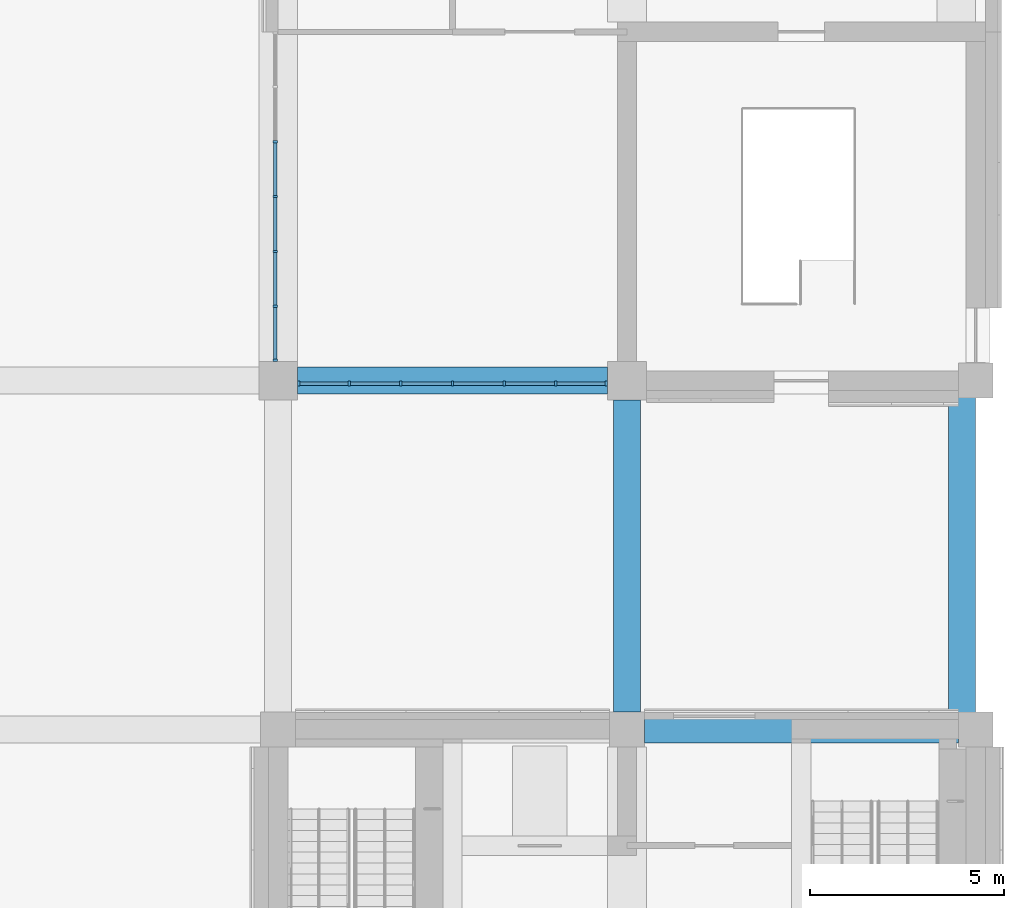
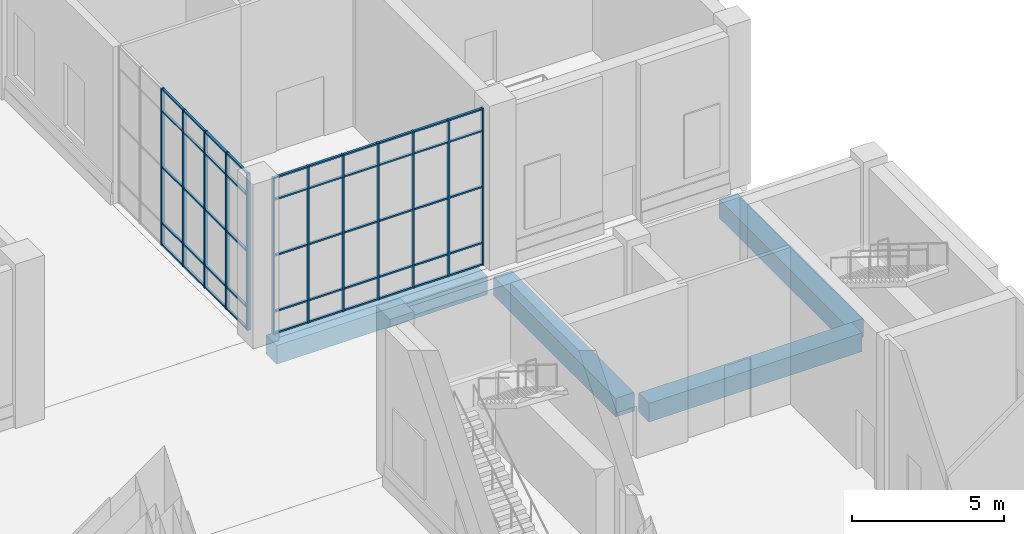
# One storey, part 3 of 35: 62 members, 4 beams, 2 elements without a shape of their own.
"""IFC4 building model written with IfcOpenShell, lengths in metres."""

import ifcopenshell
import ifcopenshell.guid

model = None  # the IFC model being written
_history = None  # IfcOwnerHistory: only IFC2X3 demands one
_inside = {}  # id of a spatial element -> (the spatial element, [elements in it])
_under = {}  # id of a project, library or spatial element -> (it, [spatial elements below it])
_declared = {}  # id of a project -> (the project, [libraries it declares])
_typed = {}  # id of a type object -> (the type object, [elements of that type])
_made_of = {}  # id of a material, layer set ... -> (it, [elements and type objects made of it])


def new_model(schema):
    """Start an empty IFC model of exactly this schema.

    Asked for "IFC4X3", IfcOpenShell would pick the latest addendum, in which some entities
    have other attributes; the version numbers below select the first issue.
    IFC2X3 requires an IfcOwnerHistory on every rooted entity: one is made here for all.
    """
    global model, _history
    if schema == "IFC4X3":
        model = ifcopenshell.file(schema_version=(4, 3, 0, 0))
    else:
        model = ifcopenshell.file(schema=schema)
    _inside.clear()
    _under.clear()
    _declared.clear()
    _typed.clear()
    _made_of.clear()
    _history = None
    if model.schema == "IFC2X3":
        org = make("IfcOrganization", Name="unknown")
        user = make(
            "IfcPersonAndOrganization",
            ThePerson=make("IfcPerson", FamilyName="unknown"),
            TheOrganization=org,
        )
        app = make(
            "IfcApplication",
            ApplicationDeveloper=org,
            Version="unknown",
            ApplicationFullName="unknown",
            ApplicationIdentifier="unknown",
        )
        _history = make(
            "IfcOwnerHistory",
            OwningUser=user,
            OwningApplication=app,
            ChangeAction="ADDED",
            CreationDate=0,
        )
    return model


def make(cls, **values):
    """One entity of the class cls with the attributes given. An attribute that is None is left unset."""
    return model.create_entity(
        cls, **{name: value for name, value in values.items() if value is not None}
    )


def rooted(cls, **values):
    """An entity with a GlobalId (a new one), such as an element, a storey or a relation."""
    return make(cls, GlobalId=ifcopenshell.guid.new(), OwnerHistory=_history, **values)


def si_unit(unit_type, name, prefix=None):
    """IfcSIUnit, for example si_unit("LENGTHUNIT", "METRE", prefix="MILLI")."""
    return make("IfcSIUnit", UnitType=unit_type, Prefix=prefix, Name=name)


def assignment(units):
    """IfcUnitAssignment: the units of a project."""
    return None if units is None else make("IfcUnitAssignment", Units=units)


def point(xyz):
    """IfcCartesianPoint."""
    return None if xyz is None else make("IfcCartesianPoint", Coordinates=xyz)


def direction(xyz):
    """IfcDirection."""
    return None if xyz is None else make("IfcDirection", DirectionRatios=xyz)


def frame(location, z_axis=None, x_axis=None):
    """IfcAxis2Placement3D, a coordinate frame: its origin and axes. An axis left out is left unset."""
    return make(
        "IfcAxis2Placement3D",
        Location=point(location),
        Axis=direction(z_axis),
        RefDirection=direction(x_axis),
    )


def frame_2d(location, x_axis=None):
    """IfcAxis2Placement2D, a coordinate frame in the plane: its origin and x axis."""
    return make(
        "IfcAxis2Placement2D", Location=point(location), RefDirection=direction(x_axis)
    )


def origin():
    """The frame at (0, 0, 0) with its axes left unset."""
    return frame((0.0, 0.0, 0.0))


def origin_2d():
    """The frame at (0, 0) in the plane with its x axis left unset."""
    return frame_2d((0.0, 0.0))


def place(relative_to, where):
    """IfcLocalPlacement: puts the frame where relative to a parent placement (None: the world)."""
    return make(
        "IfcLocalPlacement", PlacementRelTo=relative_to, RelativePlacement=where
    )


def context(
    kind, dimensions, precision=None, world=None, true_north=None, identifier=None
):
    """IfcGeometricRepresentationContext, for example the 3D "Model" context."""
    return make(
        "IfcGeometricRepresentationContext",
        ContextIdentifier=identifier,
        ContextType=kind,
        CoordinateSpaceDimension=dimensions,
        Precision=precision,
        WorldCoordinateSystem=world,
        TrueNorth=true_north,
    )


def subcontext(parent, identifier, kind, view, scale=None):
    """IfcGeometricRepresentationSubContext, for example "Body" below "Model"."""
    return make(
        "IfcGeometricRepresentationSubContext",
        ContextIdentifier=identifier,
        ContextType=kind,
        ParentContext=parent,
        TargetScale=scale,
        TargetView=view,
    )


def project(units=None, contexts=None):
    """IfcProject with its units and contexts."""
    return rooted(
        "IfcProject",
        Name="project",
        RepresentationContexts=contexts,
        UnitsInContext=assignment(units),
    )


def spatial(cls, under=None, at=None, **own):
    """A site, building, storey or space (cls), placed at a placement, below another one or the project."""
    s = rooted(cls, ObjectPlacement=at, **own)
    if under is not None:
        _under.setdefault(under.id(), (under, []))[1].append(s)
    return s


def profile(cls, at=None, kind="AREA", **sizes):
    """A parametric profile (cls). Its sizes go by their IFC names, for example OverallWidth=200.0."""
    return make(cls, ProfileType=kind, Position=at, **sizes)


def rectangle(**sizes):
    """IfcRectangleProfileDef."""
    return profile("IfcRectangleProfileDef", **sizes)


def extrude(swept, where, along, depth):
    """IfcExtrudedAreaSolid: the profile swept, set in the frame where, extruded along a direction by depth."""
    return make(
        "IfcExtrudedAreaSolid",
        SweptArea=swept,
        Position=where,
        ExtrudedDirection=direction(along),
        Depth=depth,
    )


def shape(context_of_items, identifier, shape_type, items):
    """IfcShapeRepresentation: the items that make up one representation, for example the "Body"."""
    return make(
        "IfcShapeRepresentation",
        ContextOfItems=context_of_items,
        RepresentationIdentifier=identifier,
        RepresentationType=shape_type,
        Items=items,
    )


def material(Name=None, Category=None):
    """IfcMaterial."""
    return make("IfcMaterial", Name=Name, Category=Category)


def layer(
    of_material, thickness, ventilated=None, Name=None, Category=None, Priority=None
):
    """IfcMaterialLayer: one layer of a wall or slab, of a material (None: an air gap)."""
    return make(
        "IfcMaterialLayer",
        Material=of_material,
        LayerThickness=thickness,
        IsVentilated=ventilated,
        Name=Name,
        Category=Category,
        Priority=Priority,
    )


def layer_set(layers, Name=None):
    """IfcMaterialLayerSet."""
    return make("IfcMaterialLayerSet", MaterialLayers=layers, LayerSetName=Name)


def material_profile(
    of_material, cross_section, Name=None, Category=None, Priority=None
):
    """IfcMaterialProfile: a cross section and its material."""
    return make(
        "IfcMaterialProfile",
        Name=Name,
        Material=of_material,
        Profile=cross_section,
        Priority=Priority,
        Category=Category,
    )


def profile_set(profiles, Name=None, composite=None):
    """IfcMaterialProfileSet."""
    return make(
        "IfcMaterialProfileSet",
        Name=Name,
        MaterialProfiles=profiles,
        CompositeProfile=composite,
    )


def made_of(thing, what):
    """Note that an element or type object is made of a material, layer set ...; save() writes the relation."""
    if what is not None:
        _made_of.setdefault(what.id(), (what, []))[1].append(thing)
    return thing


def type_object(cls, material=None, **own):
    """A type object (cls), such as IfcWallType, which elements share."""
    return made_of(rooted(cls, **own), material)


def element(
    cls,
    number,
    at=None,
    inside=None,
    cuts=None,
    type_object=None,
    material=None,
    context=None,
    identifier="Body",
    shape_type=None,
    held_by="IfcProductDefinitionShape",
    body=None,
    shapes=None,
    **own,
):
    """One element of the class cls, such as IfcWall. Its Tag is "e" and its number.

    at: its placement. inside: the storey or other place that contains it. cuts: it is an
    opening in that element (IfcRelVoidsElement). A single representation is given by context,
    identifier, shape_type and body (its items); several are given by shapes. held_by: the class
    of the entity that holds the representations. save() writes the other relations.
    """
    e = rooted(cls, Tag="e%d" % number, ObjectPlacement=at, **own)
    if body is not None:
        shapes = [shape(context, identifier, shape_type, body)]
    if shapes is not None:
        e.Representation = make(held_by, Representations=shapes)
    if inside is not None:
        _inside.setdefault(inside.id(), (inside, []))[1].append(e)
    if cuts is not None:
        rooted(
            "IfcRelVoidsElement", RelatingBuildingElement=cuts, RelatedOpeningElement=e
        )
    if type_object is not None:
        _typed.setdefault(type_object.id(), (type_object, []))[1].append(e)
    return made_of(e, material)


def aggregate(whole, parts):
    """IfcRelAggregates: a whole, such as a stair, and the parts it consists of."""
    return rooted("IfcRelAggregates", RelatingObject=whole, RelatedObjects=parts)


def save(model, path):
    """Write the relations noted so far, then the file.

    IfcRelAggregates (storeys below a building ...), IfcRelContainedInSpatialStructure (elements
    in a storey), IfcRelDefinesByType, IfcRelAssociatesMaterial and IfcRelDeclares: one each for
    every whole, place, type object, material and project.
    """
    for whole, parts in _under.values():
        aggregate(whole, parts)
    for where, things in _inside.values():
        rooted(
            "IfcRelContainedInSpatialStructure",
            RelatedElements=things,
            RelatingStructure=where,
        )
    for kind, things in _typed.values():
        rooted("IfcRelDefinesByType", RelatedObjects=things, RelatingType=kind)
    for what, things in _made_of.values():
        rooted("IfcRelAssociatesMaterial", RelatedObjects=things, RelatingMaterial=what)
    for by, libraries in _declared.values():
        rooted("IfcRelDeclares", RelatingContext=by, RelatedDefinitions=libraries)
    model.write(path)


model = new_model("IFC4")

# Units and contexts
model_context = context("Model", 3, precision=1e-05, world=origin(), true_north=direction((0.0, 1.0)))
body_context = subcontext(model_context, "Body", "Model", "MODEL_VIEW")
ifc_project = project(units=[si_unit("LENGTHUNIT", "METRE"), si_unit("AREAUNIT", "SQUARE_METRE"), si_unit("VOLUMEUNIT", "CUBIC_METRE"), si_unit("PLANEANGLEUNIT", "RADIAN"), si_unit("MASSUNIT", "GRAM", prefix="KILO")], contexts=[model_context])

# Site, building, storey
site_placement = place(None, origin())
site = spatial("IfcSite", under=ifc_project, at=site_placement, CompositionType="ELEMENT")
building_placement = place(site_placement, origin())
building = spatial("IfcBuilding", under=site, at=building_placement, Name="Aurelan Courthouse", CompositionType="ELEMENT")
storey_placement = place(building_placement, origin())
storey = spatial("IfcBuildingStorey", under=building, at=storey_placement, Name="L00", CompositionType="ELEMENT", Elevation=0.0)

# Curtain wall, members
ifc_material_1 = material(Name="Bronze-finished aluminium and glass", Category="aluminium")
ifc_layer_1 = layer(ifc_material_1, 0.14990234375)
ifc_layer_set_1 = layer_set([ifc_layer_1], Name="Bronze-finished aluminium and glass")
curtain_wall_type_1 = type_object("IfcCurtainWallType", Name="Curtain wall 8000 x 6300", PredefinedType="NOTDEFINED", material=ifc_layer_set_1)
curtain_wall_1_placement = place(storey_placement, origin())
curtain_wall_1 = element("IfcCurtainWall", 1, at=curtain_wall_1_placement, inside=storey, type_object=curtain_wall_type_1, Name="Curtain wall CW-V3-L00-S01", PredefinedType="NOTDEFINED")
ifc_material_2 = material(Name="Bronze-finished aluminium", Category="aluminium")
ifc_material_profile_1 = material_profile(ifc_material_2, rectangle(XDim=0.125, YDim=0.06005859375, at=origin_2d()), Name="Bronze mullion 60 x 125")
ifc_profile_set_1 = profile_set([ifc_material_profile_1], Name="Bronze-finished aluminium")
member_type_1 = type_object("IfcMemberType", Name="Curtain wall mullion 60 x 125", PredefinedType="MULLION", material=ifc_profile_set_1)
member_1_placement = place(storey_placement, frame((72.530029296875, 37.425048828125, 0.0), z_axis=(0.0, 0.0, 1.0), x_axis=(0.0, 1.0, 0.0)))
member_1 = element("IfcMember", 2, at=member_1_placement, type_object=member_type_1, Name="CW-V3-L00-S01 mullion 1", PredefinedType="MULLION", context=body_context, shape_type="SweptSolid", body=[
    extrude(rectangle(XDim=0.125, YDim=0.06005859375, at=origin_2d()), origin(), (0.0, 0.0, 1.0), 6.300048828125),
])
member_2_placement = place(storey_placement, frame((73.833251953125, 37.425048828125, 0.0), z_axis=(0.0, 0.0, 1.0), x_axis=(0.0, 1.0, 0.0)))
member_2 = element("IfcMember", 3, at=member_2_placement, type_object=member_type_1, Name="CW-V3-L00-S01 mullion 2", PredefinedType="MULLION", context=body_context, shape_type="SweptSolid", body=[
    extrude(rectangle(XDim=0.125, YDim=0.06005859375, at=origin_2d()), origin(), (0.0, 0.0, 1.0), 6.300048828125),
])
member_3_placement = place(storey_placement, frame((75.166748046875, 37.425048828125, 0.0), z_axis=(0.0, 0.0, 1.0), x_axis=(0.0, 1.0, 0.0)))
member_3 = element("IfcMember", 4, at=member_3_placement, type_object=member_type_1, Name="CW-V3-L00-S01 mullion 3", PredefinedType="MULLION", context=body_context, shape_type="SweptSolid", body=[
    extrude(rectangle(XDim=0.125, YDim=0.06005859375, at=origin_2d()), origin(), (0.0, 0.0, 1.0), 6.300048828125),
])
member_4_placement = place(storey_placement, frame((76.5, 37.425048828125, 0.0), z_axis=(0.0, 0.0, 1.0), x_axis=(0.0, 1.0, 0.0)))
member_4 = element("IfcMember", 5, at=member_4_placement, type_object=member_type_1, Name="CW-V3-L00-S01 mullion 4", PredefinedType="MULLION", context=body_context, shape_type="SweptSolid", body=[
    extrude(rectangle(XDim=0.125, YDim=0.06005859375, at=origin_2d()), origin(), (0.0, 0.0, 1.0), 6.300048828125),
])
member_5_placement = place(storey_placement, frame((77.833251953125, 37.425048828125, 0.0), z_axis=(0.0, 0.0, 1.0), x_axis=(0.0, 1.0, 0.0)))
member_5 = element("IfcMember", 6, at=member_5_placement, type_object=member_type_1, Name="CW-V3-L00-S01 mullion 5", PredefinedType="MULLION", context=body_context, shape_type="SweptSolid", body=[
    extrude(rectangle(XDim=0.125, YDim=0.06005859375, at=origin_2d()), origin(), (0.0, 0.0, 1.0), 6.300048828125),
])
member_6_placement = place(storey_placement, frame((79.166748046875, 37.425048828125, 0.0), z_axis=(0.0, 0.0, 1.0), x_axis=(0.0, 1.0, 0.0)))
member_6 = element("IfcMember", 7, at=member_6_placement, type_object=member_type_1, Name="CW-V3-L00-S01 mullion 6", PredefinedType="MULLION", context=body_context, shape_type="SweptSolid", body=[
    extrude(rectangle(XDim=0.125, YDim=0.06005859375, at=origin_2d()), origin(), (0.0, 0.0, 1.0), 6.300048828125),
])
member_7_placement = place(storey_placement, frame((80.469970703125, 37.425048828125, 0.0), z_axis=(0.0, 0.0, 1.0), x_axis=(0.0, 1.0, 0.0)))
member_7 = element("IfcMember", 8, at=member_7_placement, type_object=member_type_1, Name="CW-V3-L00-S01 mullion 7", PredefinedType="MULLION", context=body_context, shape_type="SweptSolid", body=[
    extrude(rectangle(XDim=0.125, YDim=0.06005859375, at=origin_2d()), origin(), (0.0, 0.0, 1.0), 6.300048828125),
])

ifc_layer_2 = layer(ifc_material_1, 0.14990234375)
ifc_layer_set_2 = layer_set([ifc_layer_2], Name="Bronze-finished aluminium and glass")
curtain_wall_type_2 = type_object("IfcCurtainWallType", Name="Curtain wall 8500 x 6300", PredefinedType="NOTDEFINED", material=ifc_layer_set_2)
curtain_wall_2_placement = place(storey_placement, origin())
curtain_wall_2 = element("IfcCurtainWall", 9, at=curtain_wall_2_placement, inside=storey, type_object=curtain_wall_type_2, Name="Curtain wall CW-V3-L00-W01", PredefinedType="NOTDEFINED")
member_8_placement = place(storey_placement, frame((71.925048828125, 38.030029296875, 0.0), z_axis=(0.0, 0.0, 1.0), x_axis=(-1.0, 0.0, 0.0)))
member_8 = element("IfcMember", 10, at=member_8_placement, type_object=member_type_1, Name="CW-V3-L00-W01 mullion 1", PredefinedType="MULLION", context=body_context, shape_type="SweptSolid", body=[
    extrude(rectangle(XDim=0.125, YDim=0.06005859375, at=origin_2d()), origin(), (0.0, 0.0, 1.0), 6.300048828125),
])
member_9_placement = place(storey_placement, frame((71.925048828125, 39.416748046875, 0.0), z_axis=(0.0, 0.0, 1.0), x_axis=(-1.0, 0.0, 0.0)))
member_9 = element("IfcMember", 11, at=member_9_placement, type_object=member_type_1, Name="CW-V3-L00-W01 mullion 2", PredefinedType="MULLION", context=body_context, shape_type="SweptSolid", body=[
    extrude(rectangle(XDim=0.125, YDim=0.06005859375, at=origin_2d()), origin(), (0.0, 0.0, 1.0), 6.300048828125),
])
member_10_placement = place(storey_placement, frame((71.925048828125, 40.833251953125, 0.0), z_axis=(0.0, 0.0, 1.0), x_axis=(-1.0, 0.0, 0.0)))
member_10 = element("IfcMember", 12, at=member_10_placement, type_object=member_type_1, Name="CW-V3-L00-W01 mullion 3", PredefinedType="MULLION", context=body_context, shape_type="SweptSolid", body=[
    extrude(rectangle(XDim=0.125, YDim=0.06005859375, at=origin_2d()), origin(), (0.0, 0.0, 1.0), 6.300048828125),
])
member_11_placement = place(storey_placement, frame((71.925048828125, 42.25, 0.0), z_axis=(0.0, 0.0, 1.0), x_axis=(-1.0, 0.0, 0.0)))
member_11 = element("IfcMember", 13, at=member_11_placement, type_object=member_type_1, Name="CW-V3-L00-W01 mullion 4", PredefinedType="MULLION", context=body_context, shape_type="SweptSolid", body=[
    extrude(rectangle(XDim=0.125, YDim=0.06005859375, at=origin_2d()), origin(), (0.0, 0.0, 1.0), 6.300048828125),
])
member_12_placement = place(storey_placement, frame((71.925048828125, 43.666748046875, 0.0), z_axis=(0.0, 0.0, 1.0), x_axis=(-1.0, 0.0, 0.0)))
member_12 = element("IfcMember", 14, at=member_12_placement, type_object=member_type_1, Name="CW-V3-L00-W01 mullion 5", PredefinedType="MULLION", context=body_context, shape_type="SweptSolid", body=[
    extrude(rectangle(XDim=0.125, YDim=0.06005859375, at=origin_2d()), origin(), (0.0, 0.0, 1.0), 6.300048828125),
])

# Member
ifc_material_profile_2 = material_profile(ifc_material_2, rectangle(XDim=0.090087890625, YDim=0.06005859375, at=origin_2d()), Name="Bronze transom 60 x 90")
ifc_profile_set_2 = profile_set([ifc_material_profile_2], Name="Bronze-finished aluminium")
member_type_2 = type_object("IfcMemberType", Name="Curtain wall transom 60 x 90", PredefinedType="USERDEFINED", material=ifc_profile_set_2)
member_13_placement = place(storey_placement, frame((72.56005859375, 37.425048828125, 0.030029296875), z_axis=(1.0, 0.0, 0.0), x_axis=(0.0, 1.0, 0.0)))
member_13 = element("IfcMember", 15, at=member_13_placement, type_object=member_type_2, Name="CW-V3-L00-S01 transom 1.1", ObjectType="TRANSOM", PredefinedType="USERDEFINED", context=body_context, shape_type="SweptSolid", body=[
    extrude(rectangle(XDim=0.090087890625, YDim=0.06005859375, at=origin_2d()), origin(), (0.0, 0.0, 1.0), 1.2431640625),
])

member_14_placement = place(storey_placement, frame((72.56005859375, 37.425048828125, 0.89990234375), z_axis=(1.0, 0.0, 0.0), x_axis=(0.0, 1.0, 0.0)))
member_14 = element("IfcMember", 16, at=member_14_placement, type_object=member_type_2, Name="CW-V3-L00-S01 transom 1.2", ObjectType="TRANSOM", PredefinedType="USERDEFINED", context=body_context, shape_type="SweptSolid", body=[
    extrude(rectangle(XDim=0.090087890625, YDim=0.06005859375, at=origin_2d()), origin(), (0.0, 0.0, 1.0), 1.2431640625),
])

member_15_placement = place(storey_placement, frame((72.56005859375, 37.425048828125, 3.14990234375), z_axis=(1.0, 0.0, 0.0), x_axis=(0.0, 1.0, 0.0)))
member_15 = element("IfcMember", 17, at=member_15_placement, type_object=member_type_2, Name="CW-V3-L00-S01 transom 1.3", ObjectType="TRANSOM", PredefinedType="USERDEFINED", context=body_context, shape_type="SweptSolid", body=[
    extrude(rectangle(XDim=0.090087890625, YDim=0.06005859375, at=origin_2d()), origin(), (0.0, 0.0, 1.0), 1.2431640625),
])

member_16_placement = place(storey_placement, frame((72.56005859375, 37.425048828125, 5.39990234375), z_axis=(1.0, 0.0, 0.0), x_axis=(0.0, 1.0, 0.0)))
member_16 = element("IfcMember", 18, at=member_16_placement, type_object=member_type_2, Name="CW-V3-L00-S01 transom 1.4", ObjectType="TRANSOM", PredefinedType="USERDEFINED", context=body_context, shape_type="SweptSolid", body=[
    extrude(rectangle(XDim=0.090087890625, YDim=0.06005859375, at=origin_2d()), origin(), (0.0, 0.0, 1.0), 1.2431640625),
])

member_17_placement = place(storey_placement, frame((72.56005859375, 37.425048828125, 6.27001953125), z_axis=(1.0, 0.0, 0.0), x_axis=(0.0, 1.0, 0.0)))
member_17 = element("IfcMember", 19, at=member_17_placement, type_object=member_type_2, Name="CW-V3-L00-S01 transom 1.5", ObjectType="TRANSOM", PredefinedType="USERDEFINED", context=body_context, shape_type="SweptSolid", body=[
    extrude(rectangle(XDim=0.090087890625, YDim=0.06005859375, at=origin_2d()), origin(), (0.0, 0.0, 1.0), 1.2431640625),
])

member_18_placement = place(storey_placement, frame((73.86328125, 37.425048828125, 0.030029296875), z_axis=(1.0, 0.0, 0.0), x_axis=(0.0, 1.0, 0.0)))
member_18 = element("IfcMember", 20, at=member_18_placement, type_object=member_type_2, Name="CW-V3-L00-S01 transom 2.1", ObjectType="TRANSOM", PredefinedType="USERDEFINED", context=body_context, shape_type="SweptSolid", body=[
    extrude(rectangle(XDim=0.090087890625, YDim=0.06005859375, at=origin_2d()), origin(), (0.0, 0.0, 1.0), 1.2734375),
])

member_19_placement = place(storey_placement, frame((73.86328125, 37.425048828125, 0.89990234375), z_axis=(1.0, 0.0, 0.0), x_axis=(0.0, 1.0, 0.0)))
member_19 = element("IfcMember", 21, at=member_19_placement, type_object=member_type_2, Name="CW-V3-L00-S01 transom 2.2", ObjectType="TRANSOM", PredefinedType="USERDEFINED", context=body_context, shape_type="SweptSolid", body=[
    extrude(rectangle(XDim=0.090087890625, YDim=0.06005859375, at=origin_2d()), origin(), (0.0, 0.0, 1.0), 1.2734375),
])

member_20_placement = place(storey_placement, frame((73.86328125, 37.425048828125, 3.14990234375), z_axis=(1.0, 0.0, 0.0), x_axis=(0.0, 1.0, 0.0)))
member_20 = element("IfcMember", 22, at=member_20_placement, type_object=member_type_2, Name="CW-V3-L00-S01 transom 2.3", ObjectType="TRANSOM", PredefinedType="USERDEFINED", context=body_context, shape_type="SweptSolid", body=[
    extrude(rectangle(XDim=0.090087890625, YDim=0.06005859375, at=origin_2d()), origin(), (0.0, 0.0, 1.0), 1.2734375),
])

member_21_placement = place(storey_placement, frame((73.86328125, 37.425048828125, 5.39990234375), z_axis=(1.0, 0.0, 0.0), x_axis=(0.0, 1.0, 0.0)))
member_21 = element("IfcMember", 23, at=member_21_placement, type_object=member_type_2, Name="CW-V3-L00-S01 transom 2.4", ObjectType="TRANSOM", PredefinedType="USERDEFINED", context=body_context, shape_type="SweptSolid", body=[
    extrude(rectangle(XDim=0.090087890625, YDim=0.06005859375, at=origin_2d()), origin(), (0.0, 0.0, 1.0), 1.2734375),
])

member_22_placement = place(storey_placement, frame((73.86328125, 37.425048828125, 6.27001953125), z_axis=(1.0, 0.0, 0.0), x_axis=(0.0, 1.0, 0.0)))
member_22 = element("IfcMember", 24, at=member_22_placement, type_object=member_type_2, Name="CW-V3-L00-S01 transom 2.5", ObjectType="TRANSOM", PredefinedType="USERDEFINED", context=body_context, shape_type="SweptSolid", body=[
    extrude(rectangle(XDim=0.090087890625, YDim=0.06005859375, at=origin_2d()), origin(), (0.0, 0.0, 1.0), 1.2734375),
])

member_23_placement = place(storey_placement, frame((75.19677734375, 37.425048828125, 0.030029296875), z_axis=(1.0, 0.0, 0.0), x_axis=(0.0, 1.0, 0.0)))
member_23 = element("IfcMember", 25, at=member_23_placement, type_object=member_type_2, Name="CW-V3-L00-S01 transom 3.1", ObjectType="TRANSOM", PredefinedType="USERDEFINED", context=body_context, shape_type="SweptSolid", body=[
    extrude(rectangle(XDim=0.090087890625, YDim=0.06005859375, at=origin_2d()), origin(), (0.0, 0.0, 1.0), 1.273193359375),
])

member_24_placement = place(storey_placement, frame((75.19677734375, 37.425048828125, 0.89990234375), z_axis=(1.0, 0.0, 0.0), x_axis=(0.0, 1.0, 0.0)))
member_24 = element("IfcMember", 26, at=member_24_placement, type_object=member_type_2, Name="CW-V3-L00-S01 transom 3.2", ObjectType="TRANSOM", PredefinedType="USERDEFINED", context=body_context, shape_type="SweptSolid", body=[
    extrude(rectangle(XDim=0.090087890625, YDim=0.06005859375, at=origin_2d()), origin(), (0.0, 0.0, 1.0), 1.273193359375),
])

member_25_placement = place(storey_placement, frame((75.19677734375, 37.425048828125, 3.14990234375), z_axis=(1.0, 0.0, 0.0), x_axis=(0.0, 1.0, 0.0)))
member_25 = element("IfcMember", 27, at=member_25_placement, type_object=member_type_2, Name="CW-V3-L00-S01 transom 3.3", ObjectType="TRANSOM", PredefinedType="USERDEFINED", context=body_context, shape_type="SweptSolid", body=[
    extrude(rectangle(XDim=0.090087890625, YDim=0.06005859375, at=origin_2d()), origin(), (0.0, 0.0, 1.0), 1.273193359375),
])

member_26_placement = place(storey_placement, frame((75.19677734375, 37.425048828125, 5.39990234375), z_axis=(1.0, 0.0, 0.0), x_axis=(0.0, 1.0, 0.0)))
member_26 = element("IfcMember", 28, at=member_26_placement, type_object=member_type_2, Name="CW-V3-L00-S01 transom 3.4", ObjectType="TRANSOM", PredefinedType="USERDEFINED", context=body_context, shape_type="SweptSolid", body=[
    extrude(rectangle(XDim=0.090087890625, YDim=0.06005859375, at=origin_2d()), origin(), (0.0, 0.0, 1.0), 1.273193359375),
])

member_27_placement = place(storey_placement, frame((75.19677734375, 37.425048828125, 6.27001953125), z_axis=(1.0, 0.0, 0.0), x_axis=(0.0, 1.0, 0.0)))
member_27 = element("IfcMember", 29, at=member_27_placement, type_object=member_type_2, Name="CW-V3-L00-S01 transom 3.5", ObjectType="TRANSOM", PredefinedType="USERDEFINED", context=body_context, shape_type="SweptSolid", body=[
    extrude(rectangle(XDim=0.090087890625, YDim=0.06005859375, at=origin_2d()), origin(), (0.0, 0.0, 1.0), 1.273193359375),
])

member_28_placement = place(storey_placement, frame((76.530029296875, 37.425048828125, 0.030029296875), z_axis=(1.0, 0.0, 0.0), x_axis=(0.0, 1.0, 0.0)))
member_28 = element("IfcMember", 30, at=member_28_placement, type_object=member_type_2, Name="CW-V3-L00-S01 transom 4.1", ObjectType="TRANSOM", PredefinedType="USERDEFINED", context=body_context, shape_type="SweptSolid", body=[
    extrude(rectangle(XDim=0.090087890625, YDim=0.06005859375, at=origin_2d()), origin(), (0.0, 0.0, 1.0), 1.273193359375),
])

member_29_placement = place(storey_placement, frame((76.530029296875, 37.425048828125, 0.89990234375), z_axis=(1.0, 0.0, 0.0), x_axis=(0.0, 1.0, 0.0)))
member_29 = element("IfcMember", 31, at=member_29_placement, type_object=member_type_2, Name="CW-V3-L00-S01 transom 4.2", ObjectType="TRANSOM", PredefinedType="USERDEFINED", context=body_context, shape_type="SweptSolid", body=[
    extrude(rectangle(XDim=0.090087890625, YDim=0.06005859375, at=origin_2d()), origin(), (0.0, 0.0, 1.0), 1.273193359375),
])

member_30_placement = place(storey_placement, frame((76.530029296875, 37.425048828125, 3.14990234375), z_axis=(1.0, 0.0, 0.0), x_axis=(0.0, 1.0, 0.0)))
member_30 = element("IfcMember", 32, at=member_30_placement, type_object=member_type_2, Name="CW-V3-L00-S01 transom 4.3", ObjectType="TRANSOM", PredefinedType="USERDEFINED", context=body_context, shape_type="SweptSolid", body=[
    extrude(rectangle(XDim=0.090087890625, YDim=0.06005859375, at=origin_2d()), origin(), (0.0, 0.0, 1.0), 1.273193359375),
])

member_31_placement = place(storey_placement, frame((76.530029296875, 37.425048828125, 5.39990234375), z_axis=(1.0, 0.0, 0.0), x_axis=(0.0, 1.0, 0.0)))
member_31 = element("IfcMember", 33, at=member_31_placement, type_object=member_type_2, Name="CW-V3-L00-S01 transom 4.4", ObjectType="TRANSOM", PredefinedType="USERDEFINED", context=body_context, shape_type="SweptSolid", body=[
    extrude(rectangle(XDim=0.090087890625, YDim=0.06005859375, at=origin_2d()), origin(), (0.0, 0.0, 1.0), 1.273193359375),
])

member_32_placement = place(storey_placement, frame((76.530029296875, 37.425048828125, 6.27001953125), z_axis=(1.0, 0.0, 0.0), x_axis=(0.0, 1.0, 0.0)))
member_32 = element("IfcMember", 34, at=member_32_placement, type_object=member_type_2, Name="CW-V3-L00-S01 transom 4.5", ObjectType="TRANSOM", PredefinedType="USERDEFINED", context=body_context, shape_type="SweptSolid", body=[
    extrude(rectangle(XDim=0.090087890625, YDim=0.06005859375, at=origin_2d()), origin(), (0.0, 0.0, 1.0), 1.273193359375),
])

member_33_placement = place(storey_placement, frame((77.86328125, 37.425048828125, 0.030029296875), z_axis=(1.0, 0.0, 0.0), x_axis=(0.0, 1.0, 0.0)))
member_33 = element("IfcMember", 35, at=member_33_placement, type_object=member_type_2, Name="CW-V3-L00-S01 transom 5.1", ObjectType="TRANSOM", PredefinedType="USERDEFINED", context=body_context, shape_type="SweptSolid", body=[
    extrude(rectangle(XDim=0.090087890625, YDim=0.06005859375, at=origin_2d()), origin(), (0.0, 0.0, 1.0), 1.2734375),
])

member_34_placement = place(storey_placement, frame((77.86328125, 37.425048828125, 0.89990234375), z_axis=(1.0, 0.0, 0.0), x_axis=(0.0, 1.0, 0.0)))
member_34 = element("IfcMember", 36, at=member_34_placement, type_object=member_type_2, Name="CW-V3-L00-S01 transom 5.2", ObjectType="TRANSOM", PredefinedType="USERDEFINED", context=body_context, shape_type="SweptSolid", body=[
    extrude(rectangle(XDim=0.090087890625, YDim=0.06005859375, at=origin_2d()), origin(), (0.0, 0.0, 1.0), 1.2734375),
])

member_35_placement = place(storey_placement, frame((77.86328125, 37.425048828125, 3.14990234375), z_axis=(1.0, 0.0, 0.0), x_axis=(0.0, 1.0, 0.0)))
member_35 = element("IfcMember", 37, at=member_35_placement, type_object=member_type_2, Name="CW-V3-L00-S01 transom 5.3", ObjectType="TRANSOM", PredefinedType="USERDEFINED", context=body_context, shape_type="SweptSolid", body=[
    extrude(rectangle(XDim=0.090087890625, YDim=0.06005859375, at=origin_2d()), origin(), (0.0, 0.0, 1.0), 1.2734375),
])

member_36_placement = place(storey_placement, frame((77.86328125, 37.425048828125, 5.39990234375), z_axis=(1.0, 0.0, 0.0), x_axis=(0.0, 1.0, 0.0)))
member_36 = element("IfcMember", 38, at=member_36_placement, type_object=member_type_2, Name="CW-V3-L00-S01 transom 5.4", ObjectType="TRANSOM", PredefinedType="USERDEFINED", context=body_context, shape_type="SweptSolid", body=[
    extrude(rectangle(XDim=0.090087890625, YDim=0.06005859375, at=origin_2d()), origin(), (0.0, 0.0, 1.0), 1.2734375),
])

member_37_placement = place(storey_placement, frame((77.86328125, 37.425048828125, 6.27001953125), z_axis=(1.0, 0.0, 0.0), x_axis=(0.0, 1.0, 0.0)))
member_37 = element("IfcMember", 39, at=member_37_placement, type_object=member_type_2, Name="CW-V3-L00-S01 transom 5.5", ObjectType="TRANSOM", PredefinedType="USERDEFINED", context=body_context, shape_type="SweptSolid", body=[
    extrude(rectangle(XDim=0.090087890625, YDim=0.06005859375, at=origin_2d()), origin(), (0.0, 0.0, 1.0), 1.2734375),
])

member_38_placement = place(storey_placement, frame((79.19677734375, 37.425048828125, 0.030029296875), z_axis=(1.0, 0.0, 0.0), x_axis=(0.0, 1.0, 0.0)))
member_38 = element("IfcMember", 40, at=member_38_placement, type_object=member_type_2, Name="CW-V3-L00-S01 transom 6.1", ObjectType="TRANSOM", PredefinedType="USERDEFINED", context=body_context, shape_type="SweptSolid", body=[
    extrude(rectangle(XDim=0.090087890625, YDim=0.06005859375, at=origin_2d()), origin(), (0.0, 0.0, 1.0), 1.2431640625),
])

member_39_placement = place(storey_placement, frame((79.19677734375, 37.425048828125, 0.89990234375), z_axis=(1.0, 0.0, 0.0), x_axis=(0.0, 1.0, 0.0)))
member_39 = element("IfcMember", 41, at=member_39_placement, type_object=member_type_2, Name="CW-V3-L00-S01 transom 6.2", ObjectType="TRANSOM", PredefinedType="USERDEFINED", context=body_context, shape_type="SweptSolid", body=[
    extrude(rectangle(XDim=0.090087890625, YDim=0.06005859375, at=origin_2d()), origin(), (0.0, 0.0, 1.0), 1.2431640625),
])

member_40_placement = place(storey_placement, frame((79.19677734375, 37.425048828125, 3.14990234375), z_axis=(1.0, 0.0, 0.0), x_axis=(0.0, 1.0, 0.0)))
member_40 = element("IfcMember", 42, at=member_40_placement, type_object=member_type_2, Name="CW-V3-L00-S01 transom 6.3", ObjectType="TRANSOM", PredefinedType="USERDEFINED", context=body_context, shape_type="SweptSolid", body=[
    extrude(rectangle(XDim=0.090087890625, YDim=0.06005859375, at=origin_2d()), origin(), (0.0, 0.0, 1.0), 1.2431640625),
])

member_41_placement = place(storey_placement, frame((79.19677734375, 37.425048828125, 5.39990234375), z_axis=(1.0, 0.0, 0.0), x_axis=(0.0, 1.0, 0.0)))
member_41 = element("IfcMember", 43, at=member_41_placement, type_object=member_type_2, Name="CW-V3-L00-S01 transom 6.4", ObjectType="TRANSOM", PredefinedType="USERDEFINED", context=body_context, shape_type="SweptSolid", body=[
    extrude(rectangle(XDim=0.090087890625, YDim=0.06005859375, at=origin_2d()), origin(), (0.0, 0.0, 1.0), 1.2431640625),
])

member_42_placement = place(storey_placement, frame((79.19677734375, 37.425048828125, 6.27001953125), z_axis=(1.0, 0.0, 0.0), x_axis=(0.0, 1.0, 0.0)))
member_42 = element("IfcMember", 44, at=member_42_placement, type_object=member_type_2, Name="CW-V3-L00-S01 transom 6.5", ObjectType="TRANSOM", PredefinedType="USERDEFINED", context=body_context, shape_type="SweptSolid", body=[
    extrude(rectangle(XDim=0.090087890625, YDim=0.06005859375, at=origin_2d()), origin(), (0.0, 0.0, 1.0), 1.2431640625),
])

aggregate(curtain_wall_1, [member_1, member_2, member_3, member_4, member_5, member_6, member_7, member_13, member_14, member_15, member_16, member_17, member_18, member_19, member_20, member_21, member_22, member_23, member_24, member_25, member_26, member_27, member_28, member_29, member_30, member_31, member_32, member_33, member_34, member_35, member_36, member_37, member_38, member_39, member_40, member_41, member_42])

member_43_placement = place(storey_placement, frame((71.925048828125, 38.06005859375, 0.030029296875), z_axis=(0.0, 1.0, 0.0), x_axis=(-1.0, 0.0, 0.0)))
member_43 = element("IfcMember", 45, at=member_43_placement, type_object=member_type_2, Name="CW-V3-L00-W01 transom 1.1", ObjectType="TRANSOM", PredefinedType="USERDEFINED", context=body_context, shape_type="SweptSolid", body=[
    extrude(rectangle(XDim=0.090087890625, YDim=0.06005859375, at=origin_2d()), origin(), (0.0, 0.0, 1.0), 1.32666015625),
])

member_44_placement = place(storey_placement, frame((71.925048828125, 38.06005859375, 0.89990234375), z_axis=(0.0, 1.0, 0.0), x_axis=(-1.0, 0.0, 0.0)))
member_44 = element("IfcMember", 46, at=member_44_placement, type_object=member_type_2, Name="CW-V3-L00-W01 transom 1.2", ObjectType="TRANSOM", PredefinedType="USERDEFINED", context=body_context, shape_type="SweptSolid", body=[
    extrude(rectangle(XDim=0.090087890625, YDim=0.06005859375, at=origin_2d()), origin(), (0.0, 0.0, 1.0), 1.32666015625),
])

member_45_placement = place(storey_placement, frame((71.925048828125, 38.06005859375, 3.14990234375), z_axis=(0.0, 1.0, 0.0), x_axis=(-1.0, 0.0, 0.0)))
member_45 = element("IfcMember", 47, at=member_45_placement, type_object=member_type_2, Name="CW-V3-L00-W01 transom 1.3", ObjectType="TRANSOM", PredefinedType="USERDEFINED", context=body_context, shape_type="SweptSolid", body=[
    extrude(rectangle(XDim=0.090087890625, YDim=0.06005859375, at=origin_2d()), origin(), (0.0, 0.0, 1.0), 1.32666015625),
])

member_46_placement = place(storey_placement, frame((71.925048828125, 38.06005859375, 5.39990234375), z_axis=(0.0, 1.0, 0.0), x_axis=(-1.0, 0.0, 0.0)))
member_46 = element("IfcMember", 48, at=member_46_placement, type_object=member_type_2, Name="CW-V3-L00-W01 transom 1.4", ObjectType="TRANSOM", PredefinedType="USERDEFINED", context=body_context, shape_type="SweptSolid", body=[
    extrude(rectangle(XDim=0.090087890625, YDim=0.06005859375, at=origin_2d()), origin(), (0.0, 0.0, 1.0), 1.32666015625),
])

member_47_placement = place(storey_placement, frame((71.925048828125, 38.06005859375, 6.27001953125), z_axis=(0.0, 1.0, 0.0), x_axis=(-1.0, 0.0, 0.0)))
member_47 = element("IfcMember", 49, at=member_47_placement, type_object=member_type_2, Name="CW-V3-L00-W01 transom 1.5", ObjectType="TRANSOM", PredefinedType="USERDEFINED", context=body_context, shape_type="SweptSolid", body=[
    extrude(rectangle(XDim=0.090087890625, YDim=0.06005859375, at=origin_2d()), origin(), (0.0, 0.0, 1.0), 1.32666015625),
])

member_48_placement = place(storey_placement, frame((71.925048828125, 39.44677734375, 0.030029296875), z_axis=(0.0, 1.0, 0.0), x_axis=(-1.0, 0.0, 0.0)))
member_48 = element("IfcMember", 50, at=member_48_placement, type_object=member_type_2, Name="CW-V3-L00-W01 transom 2.1", ObjectType="TRANSOM", PredefinedType="USERDEFINED", context=body_context, shape_type="SweptSolid", body=[
    extrude(rectangle(XDim=0.090087890625, YDim=0.06005859375, at=origin_2d()), origin(), (0.0, 0.0, 1.0), 1.3564453125),
])

member_49_placement = place(storey_placement, frame((71.925048828125, 39.44677734375, 0.89990234375), z_axis=(0.0, 1.0, 0.0), x_axis=(-1.0, 0.0, 0.0)))
member_49 = element("IfcMember", 51, at=member_49_placement, type_object=member_type_2, Name="CW-V3-L00-W01 transom 2.2", ObjectType="TRANSOM", PredefinedType="USERDEFINED", context=body_context, shape_type="SweptSolid", body=[
    extrude(rectangle(XDim=0.090087890625, YDim=0.06005859375, at=origin_2d()), origin(), (0.0, 0.0, 1.0), 1.3564453125),
])

member_50_placement = place(storey_placement, frame((71.925048828125, 39.44677734375, 3.14990234375), z_axis=(0.0, 1.0, 0.0), x_axis=(-1.0, 0.0, 0.0)))
member_50 = element("IfcMember", 52, at=member_50_placement, type_object=member_type_2, Name="CW-V3-L00-W01 transom 2.3", ObjectType="TRANSOM", PredefinedType="USERDEFINED", context=body_context, shape_type="SweptSolid", body=[
    extrude(rectangle(XDim=0.090087890625, YDim=0.06005859375, at=origin_2d()), origin(), (0.0, 0.0, 1.0), 1.3564453125),
])

member_51_placement = place(storey_placement, frame((71.925048828125, 39.44677734375, 5.39990234375), z_axis=(0.0, 1.0, 0.0), x_axis=(-1.0, 0.0, 0.0)))
member_51 = element("IfcMember", 53, at=member_51_placement, type_object=member_type_2, Name="CW-V3-L00-W01 transom 2.4", ObjectType="TRANSOM", PredefinedType="USERDEFINED", context=body_context, shape_type="SweptSolid", body=[
    extrude(rectangle(XDim=0.090087890625, YDim=0.06005859375, at=origin_2d()), origin(), (0.0, 0.0, 1.0), 1.3564453125),
])

member_52_placement = place(storey_placement, frame((71.925048828125, 39.44677734375, 6.27001953125), z_axis=(0.0, 1.0, 0.0), x_axis=(-1.0, 0.0, 0.0)))
member_52 = element("IfcMember", 54, at=member_52_placement, type_object=member_type_2, Name="CW-V3-L00-W01 transom 2.5", ObjectType="TRANSOM", PredefinedType="USERDEFINED", context=body_context, shape_type="SweptSolid", body=[
    extrude(rectangle(XDim=0.090087890625, YDim=0.06005859375, at=origin_2d()), origin(), (0.0, 0.0, 1.0), 1.3564453125),
])

member_53_placement = place(storey_placement, frame((71.925048828125, 40.86328125, 0.030029296875), z_axis=(0.0, 1.0, 0.0), x_axis=(-1.0, 0.0, 0.0)))
member_53 = element("IfcMember", 55, at=member_53_placement, type_object=member_type_2, Name="CW-V3-L00-W01 transom 3.1", ObjectType="TRANSOM", PredefinedType="USERDEFINED", context=body_context, shape_type="SweptSolid", body=[
    extrude(rectangle(XDim=0.090087890625, YDim=0.06005859375, at=origin_2d()), origin(), (0.0, 0.0, 1.0), 1.356689453125),
])

member_54_placement = place(storey_placement, frame((71.925048828125, 40.86328125, 0.89990234375), z_axis=(0.0, 1.0, 0.0), x_axis=(-1.0, 0.0, 0.0)))
member_54 = element("IfcMember", 56, at=member_54_placement, type_object=member_type_2, Name="CW-V3-L00-W01 transom 3.2", ObjectType="TRANSOM", PredefinedType="USERDEFINED", context=body_context, shape_type="SweptSolid", body=[
    extrude(rectangle(XDim=0.090087890625, YDim=0.06005859375, at=origin_2d()), origin(), (0.0, 0.0, 1.0), 1.356689453125),
])

member_55_placement = place(storey_placement, frame((71.925048828125, 40.86328125, 3.14990234375), z_axis=(0.0, 1.0, 0.0), x_axis=(-1.0, 0.0, 0.0)))
member_55 = element("IfcMember", 57, at=member_55_placement, type_object=member_type_2, Name="CW-V3-L00-W01 transom 3.3", ObjectType="TRANSOM", PredefinedType="USERDEFINED", context=body_context, shape_type="SweptSolid", body=[
    extrude(rectangle(XDim=0.090087890625, YDim=0.06005859375, at=origin_2d()), origin(), (0.0, 0.0, 1.0), 1.356689453125),
])

member_56_placement = place(storey_placement, frame((71.925048828125, 40.86328125, 5.39990234375), z_axis=(0.0, 1.0, 0.0), x_axis=(-1.0, 0.0, 0.0)))
member_56 = element("IfcMember", 58, at=member_56_placement, type_object=member_type_2, Name="CW-V3-L00-W01 transom 3.4", ObjectType="TRANSOM", PredefinedType="USERDEFINED", context=body_context, shape_type="SweptSolid", body=[
    extrude(rectangle(XDim=0.090087890625, YDim=0.06005859375, at=origin_2d()), origin(), (0.0, 0.0, 1.0), 1.356689453125),
])

member_57_placement = place(storey_placement, frame((71.925048828125, 40.86328125, 6.27001953125), z_axis=(0.0, 1.0, 0.0), x_axis=(-1.0, 0.0, 0.0)))
member_57 = element("IfcMember", 59, at=member_57_placement, type_object=member_type_2, Name="CW-V3-L00-W01 transom 3.5", ObjectType="TRANSOM", PredefinedType="USERDEFINED", context=body_context, shape_type="SweptSolid", body=[
    extrude(rectangle(XDim=0.090087890625, YDim=0.06005859375, at=origin_2d()), origin(), (0.0, 0.0, 1.0), 1.356689453125),
])

member_58_placement = place(storey_placement, frame((71.925048828125, 42.280029296875, 0.030029296875), z_axis=(0.0, 1.0, 0.0), x_axis=(-1.0, 0.0, 0.0)))
member_58 = element("IfcMember", 60, at=member_58_placement, type_object=member_type_2, Name="CW-V3-L00-W01 transom 4.1", ObjectType="TRANSOM", PredefinedType="USERDEFINED", context=body_context, shape_type="SweptSolid", body=[
    extrude(rectangle(XDim=0.090087890625, YDim=0.06005859375, at=origin_2d()), origin(), (0.0, 0.0, 1.0), 1.356689453125),
])

member_59_placement = place(storey_placement, frame((71.925048828125, 42.280029296875, 0.89990234375), z_axis=(0.0, 1.0, 0.0), x_axis=(-1.0, 0.0, 0.0)))
member_59 = element("IfcMember", 61, at=member_59_placement, type_object=member_type_2, Name="CW-V3-L00-W01 transom 4.2", ObjectType="TRANSOM", PredefinedType="USERDEFINED", context=body_context, shape_type="SweptSolid", body=[
    extrude(rectangle(XDim=0.090087890625, YDim=0.06005859375, at=origin_2d()), origin(), (0.0, 0.0, 1.0), 1.356689453125),
])

member_60_placement = place(storey_placement, frame((71.925048828125, 42.280029296875, 3.14990234375), z_axis=(0.0, 1.0, 0.0), x_axis=(-1.0, 0.0, 0.0)))
member_60 = element("IfcMember", 62, at=member_60_placement, type_object=member_type_2, Name="CW-V3-L00-W01 transom 4.3", ObjectType="TRANSOM", PredefinedType="USERDEFINED", context=body_context, shape_type="SweptSolid", body=[
    extrude(rectangle(XDim=0.090087890625, YDim=0.06005859375, at=origin_2d()), origin(), (0.0, 0.0, 1.0), 1.356689453125),
])

member_61_placement = place(storey_placement, frame((71.925048828125, 42.280029296875, 5.39990234375), z_axis=(0.0, 1.0, 0.0), x_axis=(-1.0, 0.0, 0.0)))
member_61 = element("IfcMember", 63, at=member_61_placement, type_object=member_type_2, Name="CW-V3-L00-W01 transom 4.4", ObjectType="TRANSOM", PredefinedType="USERDEFINED", context=body_context, shape_type="SweptSolid", body=[
    extrude(rectangle(XDim=0.090087890625, YDim=0.06005859375, at=origin_2d()), origin(), (0.0, 0.0, 1.0), 1.356689453125),
])

member_62_placement = place(storey_placement, frame((71.925048828125, 42.280029296875, 6.27001953125), z_axis=(0.0, 1.0, 0.0), x_axis=(-1.0, 0.0, 0.0)))
member_62 = element("IfcMember", 64, at=member_62_placement, type_object=member_type_2, Name="CW-V3-L00-W01 transom 4.5", ObjectType="TRANSOM", PredefinedType="USERDEFINED", context=body_context, shape_type="SweptSolid", body=[
    extrude(rectangle(XDim=0.090087890625, YDim=0.06005859375, at=origin_2d()), origin(), (0.0, 0.0, 1.0), 1.356689453125),
])

aggregate(curtain_wall_2, [member_8, member_9, member_10, member_11, member_12, member_43, member_44, member_45, member_46, member_47, member_48, member_49, member_50, member_51, member_52, member_53, member_54, member_55, member_56, member_57, member_58, member_59, member_60, member_61, member_62])

# Beams
ifc_material_3 = material(Name="Concrete C50", Category="concrete")
ifc_material_profile_3 = material_profile(ifc_material_3, rectangle(XDim=0.699951171875, YDim=0.75, at=origin_2d()), Name="RC 700 x 750")
ifc_profile_set_3 = profile_set([ifc_material_profile_3], Name="Concrete C50")
beam_type = type_object("IfcBeamType", Name="PT beam 700 x 750", PredefinedType="BEAM", material=ifc_profile_set_3)
beam_1_placement = place(storey_placement, frame((81.0, 28.949951171875, -0.675048828125), z_axis=(0.0, 1.0, 0.0), x_axis=(-1.0, 0.0, 0.0)))
element("IfcBeam", 65, at=beam_1_placement, inside=storey, type_object=beam_type, Name="Girder GB-10CD", PredefinedType="BEAM", context=body_context, shape_type="SweptSolid", body=[
    extrude(rectangle(XDim=0.699951171875, YDim=0.75, at=origin_2d()), origin(), (0.0, 0.0, 1.0), 8.050048828125),
])
beam_2_placement = place(storey_placement, frame((89.64990234375, 28.85009765625, -0.675048828125), z_axis=(0.0, 1.0, 0.0), x_axis=(-1.0, 0.0, 0.0)))
element("IfcBeam", 66, at=beam_2_placement, inside=storey, type_object=beam_type, Name="Girder GB-11CD-E", PredefinedType="BEAM", context=body_context, shape_type="SweptSolid", body=[
    extrude(rectangle(XDim=0.699951171875, YDim=0.75, at=origin_2d()), origin(), (0.0, 0.0, 1.0), 8.2998046875),
])
beam_3_placement = place(storey_placement, frame((81.449951171875, 28.5, -0.675048828125), z_axis=(1.0, 0.0, 0.0), x_axis=(0.0, 1.0, 0.0)))
element("IfcBeam", 67, at=beam_3_placement, inside=storey, type_object=beam_type, Name="Beam EB-C-10-11", PredefinedType="BEAM", context=body_context, shape_type="SweptSolid", body=[
    extrude(rectangle(XDim=0.699951171875, YDim=0.75, at=origin_2d()), origin(), (0.0, 0.0, 1.0), 8.10009765625),
])
beam_4_placement = place(storey_placement, frame((72.5, 37.5, -0.675048828125), z_axis=(1.0, 0.0, 0.0), x_axis=(0.0, 1.0, 0.0)))
element("IfcBeam", 68, at=beam_4_placement, inside=storey, type_object=beam_type, Name="Beam EB-D-9-10", PredefinedType="BEAM", context=body_context, shape_type="SweptSolid", body=[
    extrude(rectangle(XDim=0.699951171875, YDim=0.75, at=origin_2d()), origin(), (0.0, 0.0, 1.0), 8.0),
])

save(model, "model.ifc")
